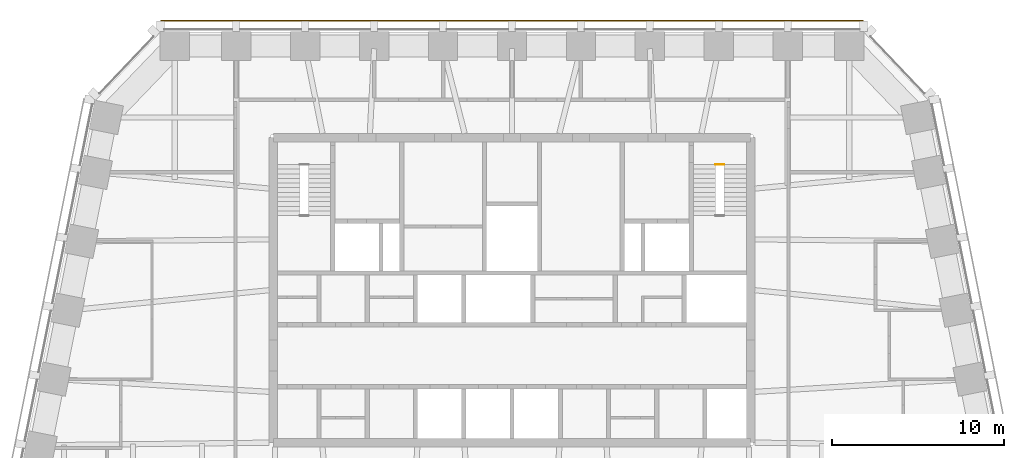
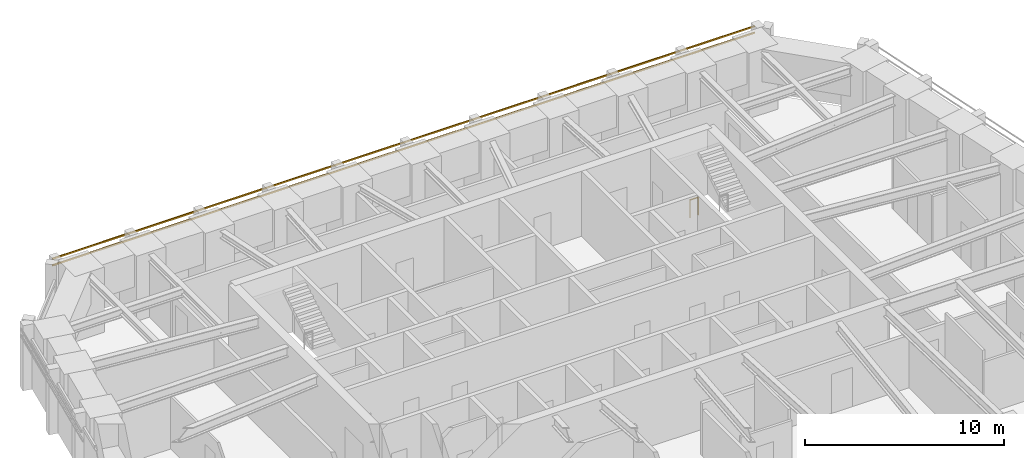
# One storey, part 11 of 11: 2 shading devices, 1 railing.
"""IFC4 building model written with IfcOpenShell, lengths in metres."""

from ifc_helpers import new_model, si_unit, direction, frame, origin, origin_2d, place, context, subcontext, project, spatial, rectangle, circle, extrude, material, material_profile, profile_set, type_object, element, save


model = new_model("IFC4")

# Units and contexts
model_context = context("Model", 3, precision=1e-05, world=origin(), true_north=direction((0.0, 1.0)))
body_context = subcontext(model_context, "Body", "Model", "MODEL_VIEW")
ifc_project = project(units=[si_unit("LENGTHUNIT", "METRE"), si_unit("AREAUNIT", "SQUARE_METRE"), si_unit("VOLUMEUNIT", "CUBIC_METRE"), si_unit("PLANEANGLEUNIT", "RADIAN"), si_unit("MASSUNIT", "GRAM", prefix="KILO")], contexts=[model_context])

# Site, building, storey
site_placement = place(None, origin())
site = spatial("IfcSite", under=ifc_project, at=site_placement, CompositionType="ELEMENT")
building_placement = place(site_placement, origin())
building = spatial("IfcBuilding", under=site, at=building_placement, Name="Isbrekke Arena Tower", CompositionType="ELEMENT")
storey_placement = place(building_placement, frame((0.0, 0.0, 272.0)))
storey = spatial("IfcBuildingStorey", under=building, at=storey_placement, Name="L63", CompositionType="ELEMENT", Elevation=272.0)

# Shading devices
ifc_material_1 = material(Name="Terracotta", Category="masonry")
ifc_material_profile = material_profile(ifc_material_1, rectangle(XDim=0.06005859375, YDim=0.06005859375, at=origin_2d()), Name="BAGUETTE 60X60")
ifc_profile_set = profile_set([ifc_material_profile], Name="Terracotta")
shading_device_type = type_object("IfcShadingDeviceType", Name="BG1 TERRACOTTA BAGUETTE 60 x 60", PredefinedType="USERDEFINED", material=ifc_profile_set)
for number, where, z_axis, x_axis, name in (
    (1, (20.39990234375, 30.655029296875, 3.280029296875), (-1.0, 0.0, 0.0), (0.0, -1.0, 0.0), "BG1 terracotta baguette N1 L63"),
    (2, (20.39990234375, 30.655029296875, 3.679931640625), (-1.0, 0.0, 0.0), (0.0, -1.0, 0.0), "BG1 terracotta baguette N2 L63"),
):
    element("IfcShadingDevice", number, at=place(storey_placement, frame(where, z_axis=z_axis, x_axis=x_axis)), inside=storey, type_object=shading_device_type, Name=name, ObjectType="TERRACOTTA BAGUETTE", PredefinedType="USERDEFINED", context=body_context, shape_type="SweptSolid", body=[
        extrude(rectangle(XDim=0.06005859375, YDim=0.06005859375, at=origin_2d()), origin(), (0.0, 0.0, 1.0), 40.7998046875),
    ])

# Railing
ifc_material_2 = material(Name="Steel stair guard, vertical bars, steel handrail", Category="steel")
railing_type = type_object("IfcRailingType", Name="GR3 STAIR WELL GUARD 1100", PredefinedType="GUARDRAIL", material=ifc_material_2)
railing_placement = place(storey_placement, frame((11.824951171875, 22.300048828125, 0.0)))
element("IfcRailing", 3, at=railing_placement, inside=storey, type_object=railing_type, Name="GR3 stair well guard ST2 L63", PredefinedType="GUARDRAIL", context=body_context, shape_type="SweptSolid", body=[
    extrude(circle(Radius=0.02392578125, at=origin_2d()), frame((0.0, 0.0, 1.076171875), z_axis=(1.0, 0.0, 0.0), x_axis=(0.0, 1.0, 0.0)), (0.0, 0.0, 1.0), 0.47509765625),
    extrude(circle(Radius=0.02099609375, at=origin_2d()), origin(), (0.0, 0.0, 1.0), 1.052001953125),
    extrude(circle(Radius=0.02099609375, at=origin_2d()), frame((0.47509765625, 0.0, 0.0)), (0.0, 0.0, 1.0), 1.052001953125),
])

save(model, "model.ifc")
